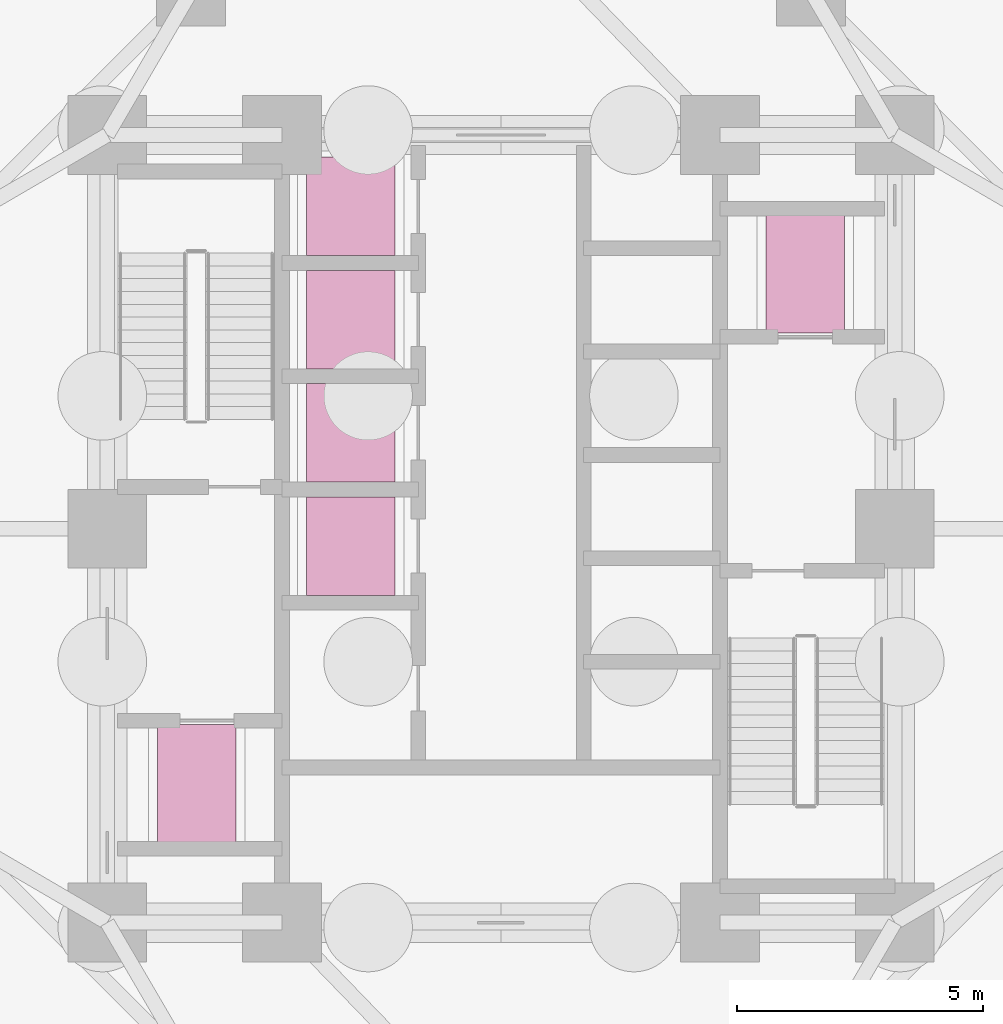
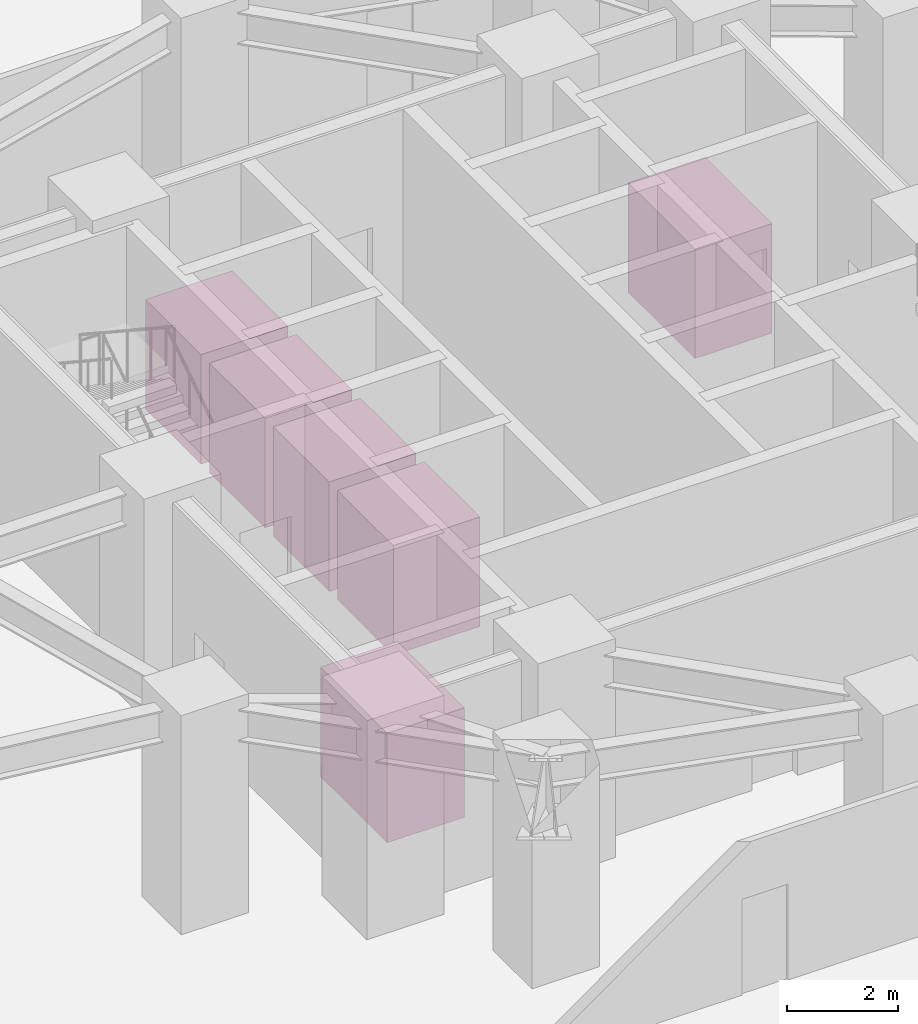
# One storey, part 20 of 20: 6 transport elements.
"""IFC4 building model written with IfcOpenShell, lengths in metres."""

from ifc_helpers import new_model, si_unit, direction, frame, origin, origin_2d, place, context, subcontext, project, spatial, rectangle, extrude, material, type_object, element, save


model = new_model("IFC4")

# Units and contexts
model_context = context("Model", 3, precision=1e-05, world=origin(), true_north=direction((0.0, 1.0)))
body_context = subcontext(model_context, "Body", "Model", "MODEL_VIEW")
ifc_project = project(units=[si_unit("LENGTHUNIT", "METRE"), si_unit("AREAUNIT", "SQUARE_METRE"), si_unit("VOLUMEUNIT", "CUBIC_METRE"), si_unit("PLANEANGLEUNIT", "RADIAN"), si_unit("MASSUNIT", "GRAM", prefix="KILO")], contexts=[model_context])

# Site, building, storey
site_placement = place(None, origin())
site = spatial("IfcSite", under=ifc_project, at=site_placement, CompositionType="ELEMENT")
building_placement = place(site_placement, origin())
building = spatial("IfcBuilding", under=site, at=building_placement, Name="Terralouvre Media Tower", CompositionType="ELEMENT")
storey_placement = place(building_placement, frame((0.0, 0.0, -9.60009765625)))
storey = spatial("IfcBuildingStorey", under=building, at=storey_placement, Name="B02", CompositionType="ELEMENT", Elevation=-9.60009765625)

# Transport elements
ifc_material_1 = material(Name="Stainless steel 316 handrail and balustrade", Category="steel")
transport_element_type_1 = type_object("IfcTransportElementType", Name="Firefighting Stretcher Lift Car FFL-CAR", PredefinedType="ELEVATOR", material=ifc_material_1)
for number, where, z_axis, x_axis, name in (
    (1, (-6.179931640625, -5.179931640625, 0.020263671875), (0.0, 0.0, 1.0), (1.0, 0.0, 0.0), "Vertical Lift Car FFL-01"),
    (2, (6.179931640625, 5.179931640625, 0.020263671875), (0.0, 0.0, 1.0), (1.0, 0.0, 0.0), "Vertical Lift Car FFL-02"),
):
    element("IfcTransportElement", number, at=place(storey_placement, frame(where, z_axis=z_axis, x_axis=x_axis)), inside=storey, type_object=transport_element_type_1, Name=name, PredefinedType="ELEVATOR", context=body_context, shape_type="SweptSolid", body=[
        extrude(rectangle(XDim=1.60009765625, YDim=2.39990234375, at=origin_2d()), origin(), (0.0, 0.0, 1.0), 2.39990234375),
    ])
ifc_material_2 = material(Name="Stainless steel 316 handrail and balustrade", Category="steel")
transport_element_type_2 = type_object("IfcTransportElementType", Name="Low-Rise Passenger Lift Car PLL-CAR", PredefinedType="ELEVATOR", material=ifc_material_2)
for number, where, z_axis, x_axis, name in (
    (3, (-3.050048828125, -0.35009765625, 0.020263671875), (0.0, 0.0, 1.0), (1.0, 0.0, 0.0), "Vertical Lift Car PL-L1"),
    (4, (-3.050048828125, 1.949951171875, 0.020263671875), (0.0, 0.0, 1.0), (1.0, 0.0, 0.0), "Vertical Lift Car PL-L2"),
    (5, (-3.050048828125, 4.25, 0.020263671875), (0.0, 0.0, 1.0), (1.0, 0.0, 0.0), "Vertical Lift Car PL-L3"),
    (6, (-3.050048828125, 6.550048828125, 0.020263671875), (0.0, 0.0, 1.0), (1.0, 0.0, 0.0), "Vertical Lift Car PL-L4"),
):
    element("IfcTransportElement", number, at=place(storey_placement, frame(where, z_axis=z_axis, x_axis=x_axis)), inside=storey, type_object=transport_element_type_2, Name=name, PredefinedType="ELEVATOR", context=body_context, shape_type="SweptSolid", body=[
        extrude(rectangle(XDim=1.800048828125, YDim=2.0, at=origin_2d()), origin(), (0.0, 0.0, 1.0), 2.39990234375),
    ])

save(model, "model.ifc")
